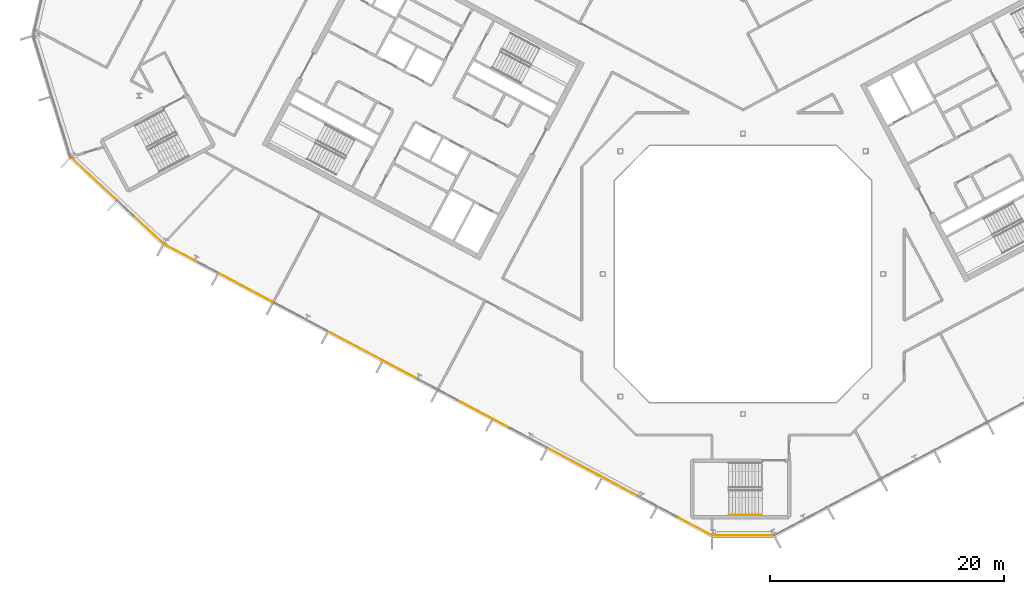
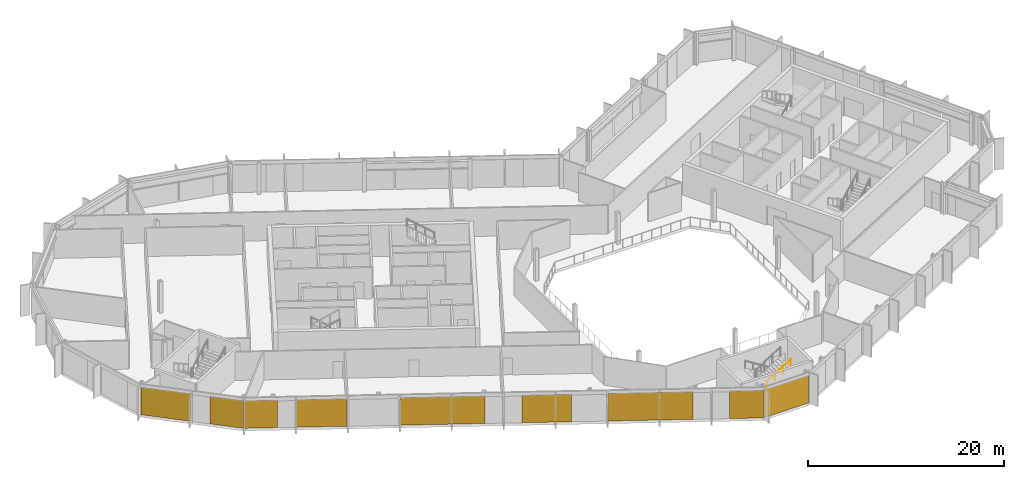
# One storey, part 18 of 25: 9 coverings, 1 railing, 3 elements without a shape of their own.
"""IFC4 building model written with IfcOpenShell, lengths in metres."""

from ifc_helpers import new_model, si_unit, direction, frame, origin, origin_2d, place, context, subcontext, project, spatial, polyline, rectangle, outline, extrude, material, layer, layer_set, type_object, element, aggregate, save


model = new_model("IFC4")

# Units and contexts
model_context = context("Model", 3, precision=1e-05, world=origin(), true_north=direction((0.0, 1.0)))
body_context = subcontext(model_context, "Body", "Model", "MODEL_VIEW")
ifc_project = project(units=[si_unit("LENGTHUNIT", "METRE"), si_unit("AREAUNIT", "SQUARE_METRE"), si_unit("VOLUMEUNIT", "CUBIC_METRE"), si_unit("PLANEANGLEUNIT", "RADIAN"), si_unit("MASSUNIT", "GRAM", prefix="KILO")], contexts=[model_context])

# Site, building, storey
site_placement = place(None, origin())
site = spatial("IfcSite", under=ifc_project, at=site_placement, CompositionType="ELEMENT")
building_placement = place(site_placement, origin())
building = spatial("IfcBuilding", under=site, at=building_placement, Name="Cormorant Relay Tower", CompositionType="ELEMENT")
storey_placement = place(building_placement, frame((0.0, 0.0, 297.0)))
storey = spatial("IfcBuildingStorey", under=building, at=storey_placement, Name="L67", CompositionType="ELEMENT", Elevation=297.0)

# Curtain wall, covering
ifc_material_1 = material(Name="Aluminium 6063-T6 anodised bronze", Category="aluminium")
ifc_layer_1 = layer(ifc_material_1, 0.199951171875)
ifc_layer_set_1 = layer_set([ifc_layer_1], Name="CW1 unitised bronze curtain wall with vertical fins")
curtain_wall_type = type_object("IfcCurtainWallType", Name="CW1 unitised bronze curtain wall with vertical fins", PredefinedType="NOTDEFINED", material=ifc_layer_set_1)
curtain_wall_1_placement = place(storey_placement, origin())
curtain_wall_1 = element("IfcCurtainWall", 1, at=curtain_wall_1_placement, inside=storey, type_object=curtain_wall_type, Name="CW1 curtain wall 1", PredefinedType="NOTDEFINED")
ifc_material_2 = material(Name="Pale bronze anodised aluminium insulated panel", Category="aluminium")
ifc_layer_2 = layer(ifc_material_2, 0.0400390625)
ifc_layer_set_2 = layer_set([ifc_layer_2], Name="CW1 pale bronze insulated panel 40")
covering_type = type_object("IfcCoveringType", Name="CW1 pale bronze insulated panel 40", PredefinedType="CLADDING", material=ifc_layer_set_2)
covering_1_placement = place(storey_placement, frame((0.03759765625, -22.3955078125, 0.0), z_axis=(0.0, 0.0, 1.0), x_axis=(1.0, 0.0, 0.0)))
covering_1 = element("IfcCovering", 2, at=covering_1_placement, type_object=covering_type, Name="CW1 panel S00", PredefinedType="CLADDING", context=body_context, shape_type="SweptSolid", body=[
    extrude(rectangle(XDim=5.22265625, YDim=0.0400390625, at=origin_2d()), origin(), (0.0, 0.0, 1.0), 3.449951171875),
])
aggregate(curtain_wall_1, [covering_1])

# Curtain wall, coverings
curtain_wall_2_placement = place(storey_placement, origin())
curtain_wall_2 = element("IfcCurtainWall", 3, at=curtain_wall_2_placement, inside=storey, type_object=curtain_wall_type, Name="CW1 curtain wall 15", PredefinedType="NOTDEFINED")
covering_2_placement = place(storey_placement, frame((-55.56787109375, 8.1298828125, 0.0), z_axis=(0.0, 0.0, 1.0), x_axis=(0.731353701619, -0.681998360062, 0.0)))
covering_2 = element("IfcCovering", 4, at=covering_2_placement, type_object=covering_type, Name="CW1 panel S00", PredefinedType="CLADDING", context=body_context, shape_type="SweptSolid", body=[
    extrude(rectangle(XDim=5.28515625, YDim=0.0400390625, at=origin_2d()), origin(), (0.0, 0.0, 1.0), 3.449951171875),
])
covering_3_placement = place(storey_placement, frame((-50.906982421875, 3.78369140625, 0.0), z_axis=(0.0, 0.0, 1.0), x_axis=(0.731353701619, -0.681998360062, 0.0)))
covering_3 = element("IfcCovering", 5, at=covering_3_placement, type_object=covering_type, Name="CW1 panel S02", PredefinedType="CLADDING", context=body_context, shape_type="SweptSolid", body=[
    extrude(rectangle(XDim=3.560302734375, YDim=0.0400390625, at=origin_2d()), origin(), (0.0, 0.0, 1.0), 3.449951171875),
])
aggregate(curtain_wall_2, [covering_2, covering_3])

curtain_wall_3_placement = place(storey_placement, origin())
curtain_wall_3 = element("IfcCurtainWall", 6, at=curtain_wall_3_placement, inside=storey, type_object=curtain_wall_type, Name="CW1 curtain wall 16", PredefinedType="NOTDEFINED")
covering_4_placement = place(storey_placement, frame((-48.048583984375, 1.7412109375, 0.0), z_axis=(0.0, 0.0, 1.0), x_axis=(0.882947592859, -0.469471562786, 0.0)))
covering_4 = element("IfcCovering", 7, at=covering_4_placement, type_object=covering_type, Name="CW1 panel S00", PredefinedType="CLADDING", context=body_context, shape_type="SweptSolid", body=[
    extrude(rectangle(XDim=3.36669921875, YDim=0.0400390625, at=origin_2d()), origin(), (0.0, 0.0, 1.0), 3.449951171875),
])
covering_5_placement = place(storey_placement, frame((-42.5595703125, -1.17724609375, 0.0), z_axis=(0.0, 0.0, 1.0), x_axis=(0.882947592859, -0.469471562786, 0.0)))
covering_5 = element("IfcCovering", 8, at=covering_5_placement, type_object=covering_type, Name="CW1 panel S02", PredefinedType="CLADDING", context=body_context, shape_type="SweptSolid", body=[
    extrude(rectangle(XDim=5.16650390625, YDim=0.0400390625, at=origin_2d()), origin(), (0.0, 0.0, 1.0), 3.449951171875),
])
covering_6_placement = place(storey_placement, frame((-31.618408203125, -6.994873046875, 0.0), z_axis=(0.0, 0.0, 1.0), x_axis=(0.882947592859, -0.469471562786, 0.0)))
covering_6 = element("IfcCovering", 9, at=covering_6_placement, type_object=covering_type, Name="CW1 panel S04", PredefinedType="CLADDING", context=body_context, shape_type="SweptSolid", body=[
    extrude(rectangle(XDim=8.68310546875, YDim=0.0400390625, at=origin_2d()), origin(), (0.0, 0.0, 1.0), 3.449951171875),
])
covering_7_placement = place(storey_placement, frame((-22.22998046875, -11.98681640625, 0.0), z_axis=(0.0, 0.0, 1.0), x_axis=(0.882947592859, -0.469471562786, 0.0)))
covering_7 = element("IfcCovering", 10, at=covering_7_placement, type_object=covering_type, Name="CW1 panel S07", PredefinedType="CLADDING", context=body_context, shape_type="SweptSolid", body=[
    extrude(rectangle(XDim=5.083251953125, YDim=0.0400390625, at=origin_2d()), origin(), (0.0, 0.0, 1.0), 3.449951171875),
])
covering_8_placement = place(storey_placement, frame((-12.84130859375, -16.978759765625, 0.0), z_axis=(0.0, 0.0, 1.0), x_axis=(0.882947592859, -0.469471562786, 0.0)))
covering_8 = element("IfcCovering", 11, at=covering_8_placement, type_object=covering_type, Name="CW1 panel S09", PredefinedType="CLADDING", context=body_context, shape_type="SweptSolid", body=[
    extrude(rectangle(XDim=8.68310546875, YDim=0.0400390625, at=origin_2d()), origin(), (0.0, 0.0, 1.0), 3.449951171875),
])
covering_9_placement = place(storey_placement, frame((-4.177490234375, -21.58544921875, 0.0), z_axis=(0.0, 0.0, 1.0), x_axis=(0.882947592859, -0.469471562786, 0.0)))
covering_9 = element("IfcCovering", 12, at=covering_9_placement, type_object=covering_type, Name="CW1 panel S12", PredefinedType="CLADDING", context=body_context, shape_type="SweptSolid", body=[
    extrude(rectangle(XDim=3.441650390625, YDim=0.0400390625, at=origin_2d()), origin(), (0.0, 0.0, 1.0), 3.449951171875),
])
aggregate(curtain_wall_3, [covering_4, covering_5, covering_6, covering_7, covering_8, covering_9])

# Railing
ifc_material_3 = material(Name="Steel ASTM A572 Grade 50 (Fy 345 MPa)", Category="steel")
railing_type = type_object("IfcRailingType", Name="Stair handrail 900", PredefinedType="HANDRAIL", material=ifc_material_3)
railing_placement = place(storey_placement, frame((-1.199951171875, -20.625, 2.127197265625)))
element("IfcRailing", 13, at=railing_placement, inside=storey, type_object=railing_type, Name="L67 RK1 stair handrail 2", PredefinedType="HANDRAIL", context=body_context, shape_type="SweptSolid", body=[
    extrude(outline(polyline([(0.022216796875, 0.00927734375), (0.00927734375, 0.022216796875), (-0.00927734375, 0.022216796875), (-0.022216796875, 0.00927734375), (-0.022216796875, -0.00927734375), (-0.00927734375, -0.022216796875), (0.00927734375, -0.022216796875), (0.022216796875, -0.00927734375), (0.022216796875, 0.00927734375)])), frame((0.0, 0.0, 0.8759765625), z_axis=(0.844908973607, 0.0, 0.534910110503), x_axis=(0.0, 1.0, 0.0)), (0.0, 0.0, 1.0), 3.31396484375),
    extrude(outline(polyline([(0.019287109375, 0.008056640625), (0.008056640625, 0.019287109375), (-0.008056640625, 0.019287109375), (-0.019287109375, 0.008056640625), (-0.019287109375, -0.008056640625), (-0.008056640625, -0.019287109375), (0.008056640625, -0.019287109375), (0.019287109375, -0.008056640625), (0.019287109375, 0.008056640625)])), origin(), (0.0, 0.0, 1.0), 0.851806640625),
    extrude(outline(polyline([(0.019287109375, 0.008056640625), (0.008056640625, 0.019287109375), (-0.008056640625, 0.019287109375), (-0.019287109375, 0.008056640625), (-0.019287109375, -0.008056640625), (-0.008056640625, -0.019287109375), (0.008056640625, -0.019287109375), (0.019287109375, -0.008056640625), (0.019287109375, 0.008056640625)])), frame((0.933349609375, 0.0, 0.5908203125)), (0.0, 0.0, 1.0), 0.851806640625),
    extrude(outline(polyline([(0.019287109375, 0.008056640625), (0.008056640625, 0.019287109375), (-0.008056640625, 0.019287109375), (-0.019287109375, 0.008056640625), (-0.019287109375, -0.008056640625), (-0.008056640625, -0.019287109375), (0.008056640625, -0.019287109375), (0.019287109375, -0.008056640625), (0.019287109375, 0.008056640625)])), frame((1.86669921875, 0.0, 1.181884765625)), (0.0, 0.0, 1.0), 0.851806640625),
    extrude(outline(polyline([(0.019287109375, 0.008056640625), (0.008056640625, 0.019287109375), (-0.008056640625, 0.019287109375), (-0.019287109375, 0.008056640625), (-0.019287109375, -0.008056640625), (-0.008056640625, -0.019287109375), (0.008056640625, -0.019287109375), (0.019287109375, -0.008056640625), (0.019287109375, 0.008056640625)])), frame((2.800048828125, 0.0, 1.772705078125)), (0.0, 0.0, 1.0), 0.851806640625),
])

save(model, "model.ifc")
